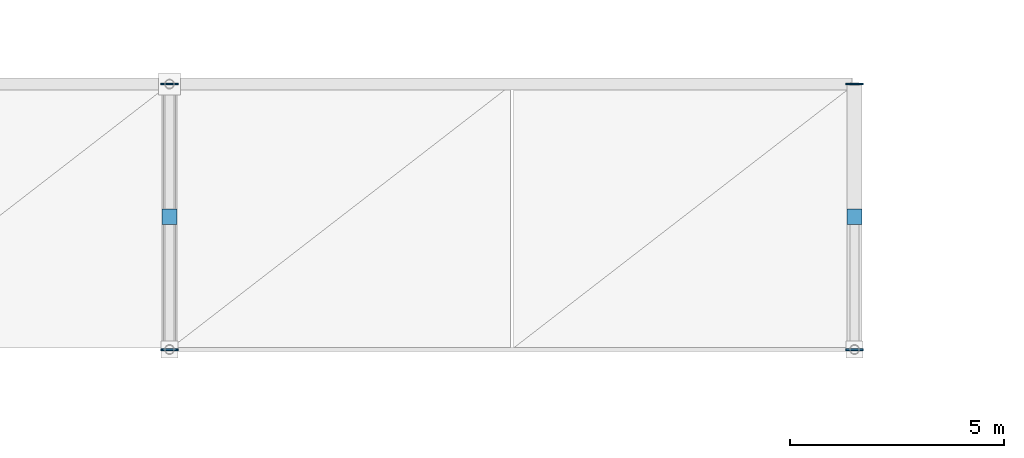
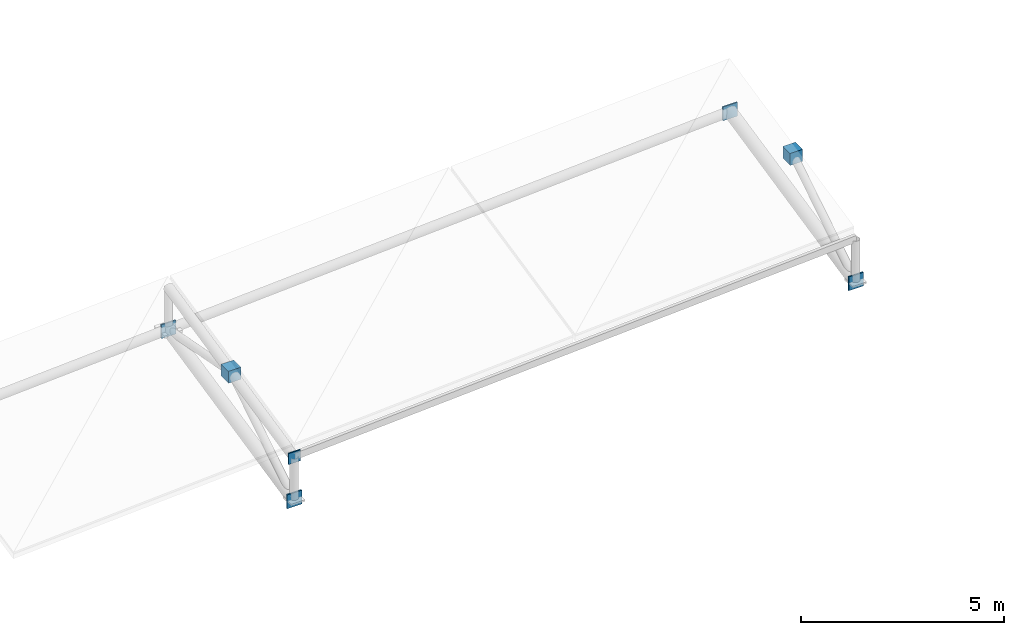
# One storey, part 62 of 83: 7 discrete accessories.
"""IFC4 building model written with IfcOpenShell, lengths in metres."""

import ifcopenshell
import ifcopenshell.guid

model = None  # the IFC model being written
_history = None  # IfcOwnerHistory: only IFC2X3 demands one
_inside = {}  # id of a spatial element -> (the spatial element, [elements in it])
_under = {}  # id of a project, library or spatial element -> (it, [spatial elements below it])
_declared = {}  # id of a project -> (the project, [libraries it declares])
_typed = {}  # id of a type object -> (the type object, [elements of that type])
_made_of = {}  # id of a material, layer set ... -> (it, [elements and type objects made of it])


def new_model(schema):
    """Start an empty IFC model of exactly this schema.

    Asked for "IFC4X3", IfcOpenShell would pick the latest addendum, in which some entities
    have other attributes; the version numbers below select the first issue.
    IFC2X3 requires an IfcOwnerHistory on every rooted entity: one is made here for all.
    """
    global model, _history
    if schema == "IFC4X3":
        model = ifcopenshell.file(schema_version=(4, 3, 0, 0))
    else:
        model = ifcopenshell.file(schema=schema)
    _inside.clear()
    _under.clear()
    _declared.clear()
    _typed.clear()
    _made_of.clear()
    _history = None
    if model.schema == "IFC2X3":
        org = make("IfcOrganization", Name="unknown")
        user = make(
            "IfcPersonAndOrganization",
            ThePerson=make("IfcPerson", FamilyName="unknown"),
            TheOrganization=org,
        )
        app = make(
            "IfcApplication",
            ApplicationDeveloper=org,
            Version="unknown",
            ApplicationFullName="unknown",
            ApplicationIdentifier="unknown",
        )
        _history = make(
            "IfcOwnerHistory",
            OwningUser=user,
            OwningApplication=app,
            ChangeAction="ADDED",
            CreationDate=0,
        )
    return model


def make(cls, **values):
    """One entity of the class cls with the attributes given. An attribute that is None is left unset."""
    return model.create_entity(
        cls, **{name: value for name, value in values.items() if value is not None}
    )


def rooted(cls, **values):
    """An entity with a GlobalId (a new one), such as an element, a storey or a relation."""
    return make(cls, GlobalId=ifcopenshell.guid.new(), OwnerHistory=_history, **values)


def si_unit(unit_type, name, prefix=None):
    """IfcSIUnit, for example si_unit("LENGTHUNIT", "METRE", prefix="MILLI")."""
    return make("IfcSIUnit", UnitType=unit_type, Prefix=prefix, Name=name)


def assignment(units):
    """IfcUnitAssignment: the units of a project."""
    return None if units is None else make("IfcUnitAssignment", Units=units)


def point(xyz):
    """IfcCartesianPoint."""
    return None if xyz is None else make("IfcCartesianPoint", Coordinates=xyz)


def direction(xyz):
    """IfcDirection."""
    return None if xyz is None else make("IfcDirection", DirectionRatios=xyz)


def frame(location, z_axis=None, x_axis=None):
    """IfcAxis2Placement3D, a coordinate frame: its origin and axes. An axis left out is left unset."""
    return make(
        "IfcAxis2Placement3D",
        Location=point(location),
        Axis=direction(z_axis),
        RefDirection=direction(x_axis),
    )


def frame_2d(location, x_axis=None):
    """IfcAxis2Placement2D, a coordinate frame in the plane: its origin and x axis."""
    return make(
        "IfcAxis2Placement2D", Location=point(location), RefDirection=direction(x_axis)
    )


def origin():
    """The frame at (0, 0, 0) with its axes left unset."""
    return frame((0.0, 0.0, 0.0))


def origin_2d():
    """The frame at (0, 0) in the plane with its x axis left unset."""
    return frame_2d((0.0, 0.0))


def place(relative_to, where):
    """IfcLocalPlacement: puts the frame where relative to a parent placement (None: the world)."""
    return make(
        "IfcLocalPlacement", PlacementRelTo=relative_to, RelativePlacement=where
    )


def context(
    kind, dimensions, precision=None, world=None, true_north=None, identifier=None
):
    """IfcGeometricRepresentationContext, for example the 3D "Model" context."""
    return make(
        "IfcGeometricRepresentationContext",
        ContextIdentifier=identifier,
        ContextType=kind,
        CoordinateSpaceDimension=dimensions,
        Precision=precision,
        WorldCoordinateSystem=world,
        TrueNorth=true_north,
    )


def subcontext(parent, identifier, kind, view, scale=None):
    """IfcGeometricRepresentationSubContext, for example "Body" below "Model"."""
    return make(
        "IfcGeometricRepresentationSubContext",
        ContextIdentifier=identifier,
        ContextType=kind,
        ParentContext=parent,
        TargetScale=scale,
        TargetView=view,
    )


def project(units=None, contexts=None):
    """IfcProject with its units and contexts."""
    return rooted(
        "IfcProject",
        Name="project",
        RepresentationContexts=contexts,
        UnitsInContext=assignment(units),
    )


def spatial(cls, under=None, at=None, **own):
    """A site, building, storey or space (cls), placed at a placement, below another one or the project."""
    s = rooted(cls, ObjectPlacement=at, **own)
    if under is not None:
        _under.setdefault(under.id(), (under, []))[1].append(s)
    return s


def profile(cls, at=None, kind="AREA", **sizes):
    """A parametric profile (cls). Its sizes go by their IFC names, for example OverallWidth=200.0."""
    return make(cls, ProfileType=kind, Position=at, **sizes)


def rectangle(**sizes):
    """IfcRectangleProfileDef."""
    return profile("IfcRectangleProfileDef", **sizes)


def extrude(swept, where, along, depth):
    """IfcExtrudedAreaSolid: the profile swept, set in the frame where, extruded along a direction by depth."""
    return make(
        "IfcExtrudedAreaSolid",
        SweptArea=swept,
        Position=where,
        ExtrudedDirection=direction(along),
        Depth=depth,
    )


def shape(context_of_items, identifier, shape_type, items):
    """IfcShapeRepresentation: the items that make up one representation, for example the "Body"."""
    return make(
        "IfcShapeRepresentation",
        ContextOfItems=context_of_items,
        RepresentationIdentifier=identifier,
        RepresentationType=shape_type,
        Items=items,
    )


def material(Name=None, Category=None):
    """IfcMaterial."""
    return make("IfcMaterial", Name=Name, Category=Category)


def made_of(thing, what):
    """Note that an element or type object is made of a material, layer set ...; save() writes the relation."""
    if what is not None:
        _made_of.setdefault(what.id(), (what, []))[1].append(thing)
    return thing


def type_object(cls, material=None, **own):
    """A type object (cls), such as IfcWallType, which elements share."""
    return made_of(rooted(cls, **own), material)


def element(
    cls,
    number,
    at=None,
    inside=None,
    cuts=None,
    type_object=None,
    material=None,
    context=None,
    identifier="Body",
    shape_type=None,
    held_by="IfcProductDefinitionShape",
    body=None,
    shapes=None,
    **own,
):
    """One element of the class cls, such as IfcWall. Its Tag is "e" and its number.

    at: its placement. inside: the storey or other place that contains it. cuts: it is an
    opening in that element (IfcRelVoidsElement). A single representation is given by context,
    identifier, shape_type and body (its items); several are given by shapes. held_by: the class
    of the entity that holds the representations. save() writes the other relations.
    """
    e = rooted(cls, Tag="e%d" % number, ObjectPlacement=at, **own)
    if body is not None:
        shapes = [shape(context, identifier, shape_type, body)]
    if shapes is not None:
        e.Representation = make(held_by, Representations=shapes)
    if inside is not None:
        _inside.setdefault(inside.id(), (inside, []))[1].append(e)
    if cuts is not None:
        rooted(
            "IfcRelVoidsElement", RelatingBuildingElement=cuts, RelatedOpeningElement=e
        )
    if type_object is not None:
        _typed.setdefault(type_object.id(), (type_object, []))[1].append(e)
    return made_of(e, material)


def aggregate(whole, parts):
    """IfcRelAggregates: a whole, such as a stair, and the parts it consists of."""
    return rooted("IfcRelAggregates", RelatingObject=whole, RelatedObjects=parts)


def save(model, path):
    """Write the relations noted so far, then the file.

    IfcRelAggregates (storeys below a building ...), IfcRelContainedInSpatialStructure (elements
    in a storey), IfcRelDefinesByType, IfcRelAssociatesMaterial and IfcRelDeclares: one each for
    every whole, place, type object, material and project.
    """
    for whole, parts in _under.values():
        aggregate(whole, parts)
    for where, things in _inside.values():
        rooted(
            "IfcRelContainedInSpatialStructure",
            RelatedElements=things,
            RelatingStructure=where,
        )
    for kind, things in _typed.values():
        rooted("IfcRelDefinesByType", RelatedObjects=things, RelatingType=kind)
    for what, things in _made_of.values():
        rooted("IfcRelAssociatesMaterial", RelatedObjects=things, RelatingMaterial=what)
    for by, libraries in _declared.values():
        rooted("IfcRelDeclares", RelatingContext=by, RelatedDefinitions=libraries)
    model.write(path)


model = new_model("IFC4")

# Units and contexts
model_context = context("Model", 3, precision=1e-05, world=origin(), true_north=direction((0.0, 1.0)))
body_context = subcontext(model_context, "Body", "Model", "MODEL_VIEW")
ifc_project = project(units=[si_unit("LENGTHUNIT", "METRE"), si_unit("AREAUNIT", "SQUARE_METRE"), si_unit("VOLUMEUNIT", "CUBIC_METRE"), si_unit("PLANEANGLEUNIT", "RADIAN"), si_unit("MASSUNIT", "GRAM", prefix="KILO")], contexts=[model_context])

# Site, building, storey
site_placement = place(None, origin())
site = spatial("IfcSite", under=ifc_project, at=site_placement, CompositionType="ELEMENT")
building_placement = place(site_placement, origin())
building = spatial("IfcBuilding", under=site, at=building_placement, Name="Drelvath Fold Interchange", CompositionType="ELEMENT")
storey_placement = place(building_placement, frame((0.0, 0.0, 11.199951171875)))
storey = spatial("IfcBuildingStorey", under=building, at=storey_placement, Name="L02", CompositionType="ELEMENT", Elevation=11.199951171875)

# Discrete accessories
ifc_material = material(Name="Steel ASTM A572 Grade 50", Category="steel")
discrete_accessory_type = type_object("IfcDiscreteAccessoryType", Name="AC-CAP380", PredefinedType="BRACKET", material=ifc_material)
for number, where, z_axis, x_axis, name in (
    (1, (68.0, 20.794921875, 1.93212890625), (0.0, 0.0, 1.0), (1.0, 0.0, 0.0), "Welded hollow member end cap 149"),
    (2, (68.0, 27.0048828125, 3.28515625), (0.0, 0.0, 1.0), (1.0, 0.0, 0.0), "Welded hollow member end cap 150"),
):
    element("IfcDiscreteAccessory", number, at=place(storey_placement, frame(where, z_axis=z_axis, x_axis=x_axis)), inside=storey, type_object=discrete_accessory_type, Name=name, PredefinedType="BRACKET", context=body_context, shape_type="SweptSolid", body=[
        extrude(rectangle(XDim=0.416015625, YDim=0.0400390625, at=origin_2d()), origin(), (0.0, 0.0, 1.0), 0.416015625),
    ])
discrete_accessory_1_placement = place(storey_placement, frame((68.0, 20.794921875, 3.24365234375), z_axis=(0.0, 0.0, 1.0), x_axis=(1.0, 0.0, 0.0)))
element("IfcDiscreteAccessory", 3, at=discrete_accessory_1_placement, inside=storey, type_object=discrete_accessory_type, Name="Welded hollow member end cap 151", PredefinedType="BRACKET", context=body_context, shape_type="SweptSolid", body=[
    extrude(rectangle(XDim=0.3330078125, YDim=0.0400390625, at=origin_2d()), origin(), (0.0, 0.0, 1.0), 0.3330078125),
])
discrete_accessory_2_placement = place(storey_placement, frame((68.0, 23.904052734375, 3.91064453125), z_axis=(0.0, 0.0, 1.0), x_axis=(1.0, 0.0, 0.0)))
element("IfcDiscreteAccessory", 4, at=discrete_accessory_2_placement, inside=storey, type_object=discrete_accessory_type, Name="Welded hollow member end cap 152", PredefinedType="BRACKET", context=body_context, shape_type="SweptSolid", body=[
    extrude(rectangle(XDim=0.35888671875, YDim=0.35888671875, at=origin_2d()), origin(), (0.0, 0.0, 1.0), 0.35888671875),
])
for number, where, z_axis, x_axis, name in (
    (5, (84.0, 20.794921875, 2.89404296875), (0.0, 0.0, 1.0), (1.0, 0.0, 0.0), "Welded hollow member end cap 160"),
    (6, (84.0, 27.0048828125, 4.2470703125), (0.0, 0.0, 1.0), (1.0, 0.0, 0.0), "Welded hollow member end cap 161"),
):
    element("IfcDiscreteAccessory", number, at=place(storey_placement, frame(where, z_axis=z_axis, x_axis=x_axis)), inside=storey, type_object=discrete_accessory_type, Name=name, PredefinedType="BRACKET", context=body_context, shape_type="SweptSolid", body=[
        extrude(rectangle(XDim=0.416015625, YDim=0.0400390625, at=origin_2d()), origin(), (0.0, 0.0, 1.0), 0.416015625),
    ])
discrete_accessory_3_placement = place(storey_placement, frame((84.0, 23.904052734375, 4.87158203125), z_axis=(0.0, 0.0, 1.0), x_axis=(1.0, 0.0, 0.0)))
element("IfcDiscreteAccessory", 7, at=discrete_accessory_3_placement, inside=storey, type_object=discrete_accessory_type, Name="Welded hollow member end cap 163", PredefinedType="BRACKET", context=body_context, shape_type="SweptSolid", body=[
    extrude(rectangle(XDim=0.35888671875, YDim=0.35888671875, at=origin_2d()), origin(), (0.0, 0.0, 1.0), 0.35888671875),
])

save(model, "model.ifc")
